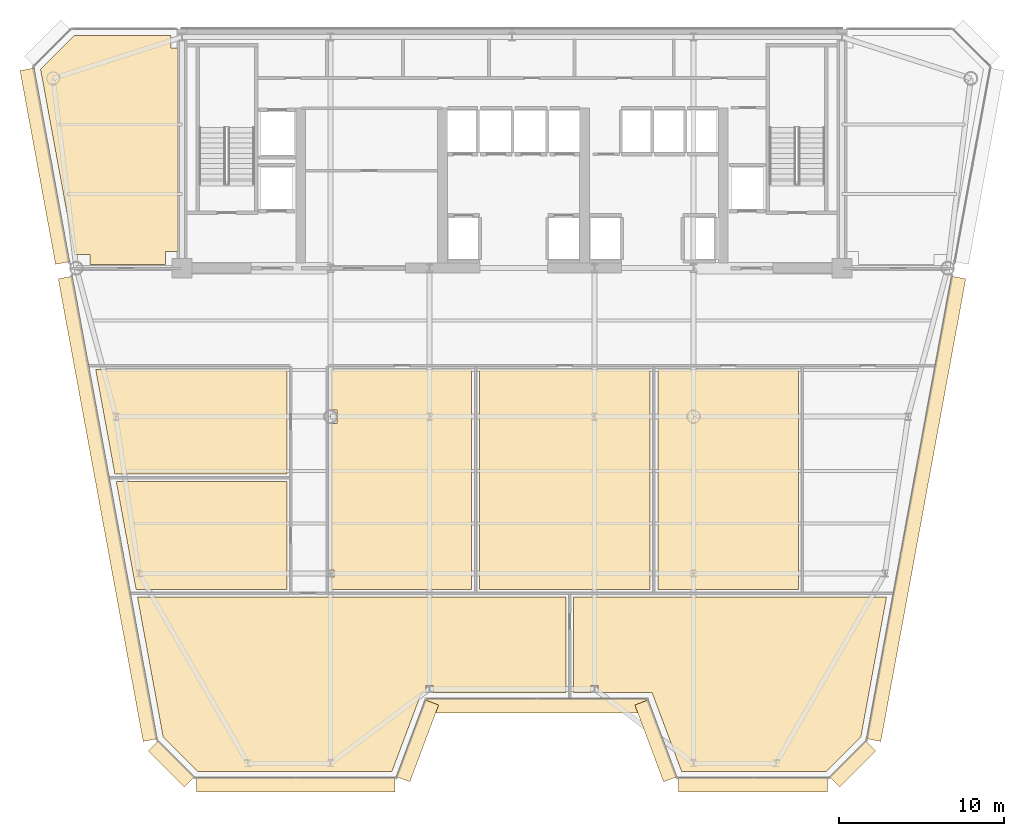
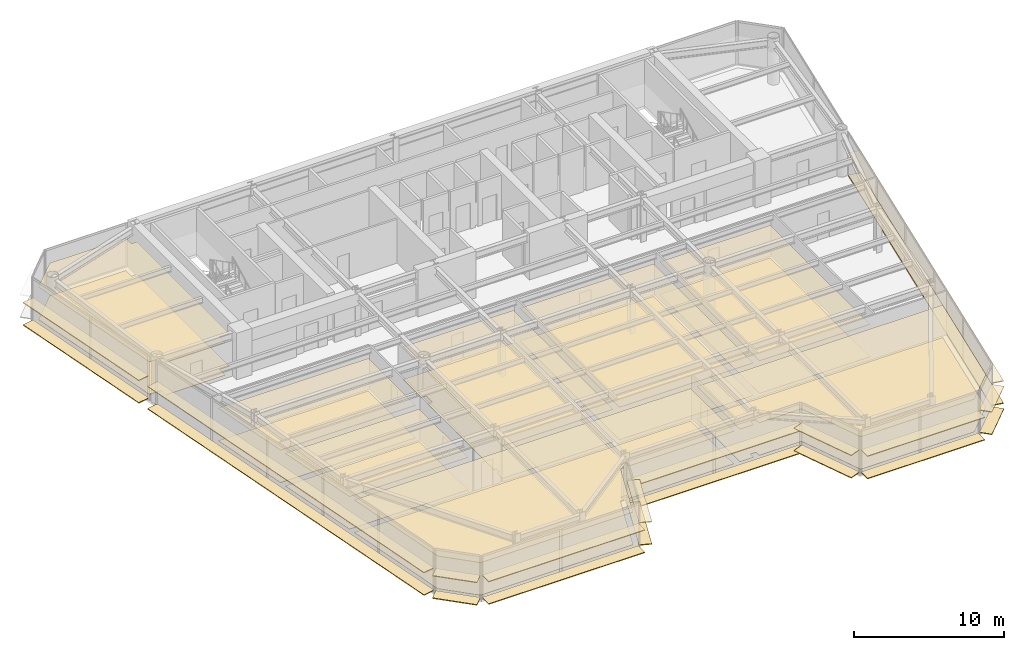
# One storey, part 13 of 16: 36 coverings.
"""IFC4 building model written with IfcOpenShell, lengths in metres."""

from ifc_helpers import new_model, si_unit, direction, frame, origin, origin_2d, place, context, subcontext, project, spatial, polyline, rectangle, outline, extrude, source, transform, mapped, material, layer, layer_set, type_object, element, save


model = new_model("IFC4")

# Units and contexts
model_context = context("Model", 3, precision=1e-05, world=origin(), true_north=direction((0.0, 1.0)))
body_context = subcontext(model_context, "Body", "Model", "MODEL_VIEW")
ifc_project = project(units=[si_unit("LENGTHUNIT", "METRE"), si_unit("AREAUNIT", "SQUARE_METRE"), si_unit("VOLUMEUNIT", "CUBIC_METRE"), si_unit("PLANEANGLEUNIT", "RADIAN"), si_unit("MASSUNIT", "GRAM", prefix="KILO")], contexts=[model_context])

# Site, building, storey
site_placement = place(None, origin())
site = spatial("IfcSite", under=ifc_project, at=site_placement, CompositionType="ELEMENT")
building_placement = place(site_placement, origin())
building = spatial("IfcBuilding", under=site, at=building_placement, Name="Vaeldorn Concourse Tower", CompositionType="ELEMENT")
storey_placement = place(building_placement, frame((0.0, 0.0, 188.0)))
storey = spatial("IfcBuildingStorey", under=building, at=storey_placement, Name="L48", CompositionType="ELEMENT", Elevation=188.0)

# Coverings
ifc_material_1 = material(Name="Acoustic Mineral Fibre Board", Category="gypsum")
ifc_layer_1 = layer(ifc_material_1, 0.0400390625)
ifc_layer_set_1 = layer_set([ifc_layer_1], Name="Acoustic Mineral Fibre Board")
covering_type_1 = type_object("IfcCoveringType", Name="COV-CEIL-ACOUSTIC", PredefinedType="CEILING", material=ifc_layer_set_1)
covering_1_placement = place(storey_placement, frame((0.0, 0.0, 2.64990234375)))
element("IfcCovering", 1, at=covering_1_placement, inside=storey, type_object=covering_type_1, Name="Suspended Acoustic Ceiling L48-4", PredefinedType="CEILING", context=body_context, shape_type="SweptSolid", body=[
    extrude(outline(polyline([(7.4658203125, 50.60009765625), (13.340087890625, 50.60009765625), (13.340087890625, 49.840087890625), (13.760009765625, 49.840087890625), (13.760009765625, 37.5), (13.0, 37.5), (13.0, 36.719970703125), (8.419921875, 36.719970703125), (8.419921875, 37.320068359375), (7.49609375, 37.320068359375), (5.431396484375, 48.565673828125), (7.4658203125, 50.60009765625)])), origin(), (0.0, 0.0, 1.0), 0.0400390625),
])
covering_2_placement = place(storey_placement, frame((0.0, 0.0, 2.64990234375)))
element("IfcCovering", 2, at=covering_2_placement, inside=storey, type_object=covering_type_1, Name="Suspended Acoustic Ceiling L48-6", PredefinedType="CEILING", context=body_context, shape_type="SweptSolid", body=[
    extrude(outline(polyline([(37.260009765625, 16.56005859375), (37.260009765625, 10.800048828125), (29.2060546875, 10.800048828125), (29.2060546875, 11.217529296875), (28.7939453125, 11.217529296875), (28.7939453125, 10.800048828125), (28.522705078125, 10.800048828125), (26.722900390625, 6.0), (14.956787109375, 6.0), (12.86181640625, 8.0947265625), (11.3076171875, 16.56005859375), (37.260009765625, 16.56005859375)])), origin(), (0.0, 0.0, 1.0), 0.0400390625),
])
covering_3_placement = place(storey_placement, frame((0.0, 0.0, 2.64990234375)))
element("IfcCovering", 3, at=covering_3_placement, inside=storey, type_object=covering_type_1, Name="Suspended Acoustic Ceiling L48-7", PredefinedType="CEILING", context=body_context, shape_type="SweptSolid", body=[
    extrude(outline(polyline([(37.739990234375, 16.56005859375), (56.6923828125, 16.56005859375), (55.13818359375, 8.0947265625), (53.043212890625, 6.0), (44.277099609375, 6.0), (42.477294921875, 10.800048828125), (39.2060546875, 10.800048828125), (39.2060546875, 11.217529296875), (38.7939453125, 11.217529296875), (38.7939453125, 10.800048828125), (37.739990234375, 10.800048828125), (37.739990234375, 16.56005859375)])), origin(), (0.0, 0.0, 1.0), 0.0400390625),
])
covering_4_placement = place(storey_placement, frame((0.0, 0.0, 2.64990234375)))
element("IfcCovering", 4, at=covering_4_placement, inside=storey, type_object=covering_type_1, Name="Suspended Acoustic Ceiling L48-8", PredefinedType="CEILING", context=body_context, shape_type="SweptSolid", body=[
    extrude(outline(polyline([(20.360107421875, 23.56005859375), (20.360107421875, 17.0400390625), (11.219482421875, 17.0400390625), (11.16455078125, 17.340087890625), (11.16455078125, 17.340087890625), (10.0224609375, 23.56005859375), (20.360107421875, 23.56005859375)])), origin(), (0.0, 0.0, 1.0), 0.0400390625),
])
covering_5_placement = place(storey_placement, frame((0.0, 0.0, 2.64990234375)))
element("IfcCovering", 5, at=covering_5_placement, inside=storey, type_object=covering_type_1, Name="Suspended Acoustic Ceiling L48-9", PredefinedType="CEILING", context=body_context, shape_type="SweptSolid", body=[
    extrude(outline(polyline([(20.360107421875, 30.360107421875), (20.360107421875, 24.0400390625), (9.934326171875, 24.0400390625), (8.77392578125, 30.360107421875), (20.360107421875, 30.360107421875)])), origin(), (0.0, 0.0, 1.0), 0.0400390625),
])
covering_6_placement = place(storey_placement, frame((0.0, 0.0, 2.64990234375)))
element("IfcCovering", 6, at=covering_6_placement, inside=storey, type_object=covering_type_1, Name="Suspended Acoustic Ceiling L48-10", PredefinedType="CEILING", context=body_context, shape_type="SweptSolid", body=[
    extrude(outline(polyline([(23.0400390625, 17.782470703125), (23.2060546875, 17.782470703125), (23.2060546875, 18.217529296875), (23.0400390625, 18.217529296875), (23.0400390625, 27.093505859375), (23.406494140625, 27.093505859375), (23.406494140625, 27.906494140625), (23.0400390625, 27.906494140625), (23.0400390625, 30.360107421875), (31.56005859375, 30.360107421875), (31.56005859375, 17.0400390625), (23.0400390625, 17.0400390625), (23.0400390625, 17.782470703125)])), origin(), (0.0, 0.0, 1.0), 0.0400390625),
])
covering_7_placement = place(storey_placement, frame((0.0, 0.0, 2.64990234375)))
element("IfcCovering", 7, at=covering_7_placement, inside=storey, type_object=covering_type_1, Name="Suspended Acoustic Ceiling L48-11", PredefinedType="CEILING", context=body_context, shape_type="SweptSolid", body=[
    extrude(outline(polyline([(32.0400390625, 30.360107421875), (42.360107421875, 30.360107421875), (42.360107421875, 17.0400390625), (32.0400390625, 17.0400390625), (32.0400390625, 30.360107421875)])), origin(), (0.0, 0.0, 1.0), 0.0400390625),
])
covering_8_placement = place(storey_placement, frame((0.0, 0.0, 2.64990234375)))
element("IfcCovering", 8, at=covering_8_placement, inside=storey, type_object=covering_type_1, Name="Suspended Acoustic Ceiling L48-12", PredefinedType="CEILING", context=body_context, shape_type="SweptSolid", body=[
    extrude(outline(polyline([(42.840087890625, 30.360107421875), (51.360107421875, 30.360107421875), (51.360107421875, 17.0400390625), (42.840087890625, 17.0400390625), (42.840087890625, 30.360107421875)])), origin(), (0.0, 0.0, 1.0), 0.0400390625),
])
ifc_material_2 = material(Name="Honed Limestone Terrazzo Flooring", Category="masonry")
ifc_layer_2 = layer(ifc_material_2, 0.0400390625)
ifc_layer_set_2 = layer_set([ifc_layer_2], Name="Honed Limestone Terrazzo Flooring")
covering_type_2 = type_object("IfcCoveringType", Name="COV-FLOOR-STONE", PredefinedType="FLOORING", material=ifc_layer_set_2)
covering_9_placement = place(storey_placement, origin())
element("IfcCovering", 9, at=covering_9_placement, inside=storey, type_object=covering_type_2, Name="Floor Finish Covering L48-4", PredefinedType="FLOORING", context=body_context, shape_type="SweptSolid", body=[
    extrude(outline(polyline([(7.4658203125, 50.60009765625), (13.340087890625, 50.60009765625), (13.340087890625, 49.840087890625), (13.760009765625, 49.840087890625), (13.760009765625, 37.5), (13.0, 37.5), (13.0, 36.719970703125), (8.419921875, 36.719970703125), (8.419921875, 37.320068359375), (7.49609375, 37.320068359375), (5.431396484375, 48.565673828125), (7.4658203125, 50.60009765625)])), origin(), (0.0, 0.0, 1.0), 0.030029296875),
])
covering_10_placement = place(storey_placement, origin())
element("IfcCovering", 10, at=covering_10_placement, inside=storey, type_object=covering_type_2, Name="Floor Finish Covering L48-6", PredefinedType="FLOORING", context=body_context, shape_type="SweptSolid", body=[
    extrude(outline(polyline([(37.260009765625, 16.56005859375), (37.260009765625, 10.800048828125), (29.2060546875, 10.800048828125), (29.2060546875, 11.217529296875), (28.7939453125, 11.217529296875), (28.7939453125, 10.800048828125), (28.522705078125, 10.800048828125), (26.722900390625, 6.0), (14.956787109375, 6.0), (12.86181640625, 8.0947265625), (11.3076171875, 16.56005859375), (37.260009765625, 16.56005859375)])), origin(), (0.0, 0.0, 1.0), 0.030029296875),
])
covering_11_placement = place(storey_placement, origin())
element("IfcCovering", 11, at=covering_11_placement, inside=storey, type_object=covering_type_2, Name="Floor Finish Covering L48-7", PredefinedType="FLOORING", context=body_context, shape_type="SweptSolid", body=[
    extrude(outline(polyline([(37.739990234375, 16.56005859375), (56.6923828125, 16.56005859375), (55.13818359375, 8.0947265625), (53.043212890625, 6.0), (44.277099609375, 6.0), (42.477294921875, 10.800048828125), (39.2060546875, 10.800048828125), (39.2060546875, 11.217529296875), (38.7939453125, 11.217529296875), (38.7939453125, 10.800048828125), (37.739990234375, 10.800048828125), (37.739990234375, 16.56005859375)])), origin(), (0.0, 0.0, 1.0), 0.030029296875),
])
covering_12_placement = place(storey_placement, origin())
element("IfcCovering", 12, at=covering_12_placement, inside=storey, type_object=covering_type_2, Name="Floor Finish Covering L48-8", PredefinedType="FLOORING", context=body_context, shape_type="SweptSolid", body=[
    extrude(outline(polyline([(20.360107421875, 23.56005859375), (20.360107421875, 17.0400390625), (11.219482421875, 17.0400390625), (11.16455078125, 17.340087890625), (11.16455078125, 17.340087890625), (10.0224609375, 23.56005859375), (20.360107421875, 23.56005859375)])), origin(), (0.0, 0.0, 1.0), 0.030029296875),
])
covering_13_placement = place(storey_placement, origin())
element("IfcCovering", 13, at=covering_13_placement, inside=storey, type_object=covering_type_2, Name="Floor Finish Covering L48-9", PredefinedType="FLOORING", context=body_context, shape_type="SweptSolid", body=[
    extrude(outline(polyline([(20.360107421875, 30.360107421875), (20.360107421875, 24.0400390625), (9.934326171875, 24.0400390625), (8.77392578125, 30.360107421875), (20.360107421875, 30.360107421875)])), origin(), (0.0, 0.0, 1.0), 0.030029296875),
])
covering_14_placement = place(storey_placement, origin())
element("IfcCovering", 14, at=covering_14_placement, inside=storey, type_object=covering_type_2, Name="Floor Finish Covering L48-10", PredefinedType="FLOORING", context=body_context, shape_type="SweptSolid", body=[
    extrude(outline(polyline([(23.0400390625, 17.782470703125), (23.2060546875, 17.782470703125), (23.2060546875, 18.217529296875), (23.0400390625, 18.217529296875), (23.0400390625, 27.093505859375), (23.406494140625, 27.093505859375), (23.406494140625, 27.906494140625), (23.0400390625, 27.906494140625), (23.0400390625, 30.360107421875), (31.56005859375, 30.360107421875), (31.56005859375, 17.0400390625), (23.0400390625, 17.0400390625), (23.0400390625, 17.782470703125)])), origin(), (0.0, 0.0, 1.0), 0.030029296875),
])
covering_15_placement = place(storey_placement, origin())
element("IfcCovering", 15, at=covering_15_placement, inside=storey, type_object=covering_type_2, Name="Floor Finish Covering L48-11", PredefinedType="FLOORING", context=body_context, shape_type="SweptSolid", body=[
    extrude(outline(polyline([(32.0400390625, 30.360107421875), (42.360107421875, 30.360107421875), (42.360107421875, 17.0400390625), (32.0400390625, 17.0400390625), (32.0400390625, 30.360107421875)])), origin(), (0.0, 0.0, 1.0), 0.030029296875),
])
covering_16_placement = place(storey_placement, origin())
element("IfcCovering", 16, at=covering_16_placement, inside=storey, type_object=covering_type_2, Name="Floor Finish Covering L48-12", PredefinedType="FLOORING", context=body_context, shape_type="SweptSolid", body=[
    extrude(outline(polyline([(42.840087890625, 30.360107421875), (51.360107421875, 30.360107421875), (51.360107421875, 17.0400390625), (42.840087890625, 17.0400390625), (42.840087890625, 30.360107421875)])), origin(), (0.0, 0.0, 1.0), 0.030029296875),
])
ifc_material_3 = material(Name="Anodised Bronze Aluminium", Category="aluminium")
ifc_layer_3 = layer(ifc_material_3, 0.06494140625)
ifc_layer_set_3 = layer_set([ifc_layer_3], Name="Anodised Bronze Aluminium")
covering_type_3 = type_object("IfcCoveringType", Name="SD-BRONZE-SUNSHADE", PredefinedType="USERDEFINED", material=ifc_layer_set_3)
shared_shape_1 = source(origin(), body_context, "Body", "SweptSolid", [
    extrude(rectangle(XDim=4.96630859375, YDim=0.8798828125, at=origin_2d()), origin(), (0.0, 0.0, 1.0), 0.06494140625),
])
for number, where, z_axis, x_axis, name in (
    (17, (28.2744140625, 7.859619140625, 0.047607421875), (0.0, 0.0, 1.0), (0.351122702609, 0.936329454686, 0.0), "Horizontal Bronze Sunshade L48-E02.1.1"),
    (18, (28.2744140625, 7.859619140625, 1.867431640625), (0.0, 0.0, 1.0), (0.351122702609, 0.936329454686, 0.0), "Horizontal Bronze Sunshade L48-E02.1.2"),
    (19, (42.7255859375, 7.859619140625, 0.047607421875), (0.0, 0.0, 1.0), (0.351122702609, -0.936329454686, 0.0), "Horizontal Bronze Sunshade L48-E04.1.1"),
    (20, (42.7255859375, 7.859619140625, 1.867431640625), (0.0, 0.0, 1.0), (0.351122702609, -0.936329454686, 0.0), "Horizontal Bronze Sunshade L48-E04.1.2"),
):
    element("IfcCovering", number, at=place(storey_placement, frame(where, z_axis=z_axis, x_axis=x_axis)), inside=storey, type_object=covering_type_3, Name=name, ObjectType="SUNSHADE", PredefinedType="USERDEFINED", context=body_context, shape_type="MappedRepresentation", body=[
        mapped(shared_shape_1, transform((0.0, 0.0, 0.0), scale=1.0)),
    ])
shared_shape_2 = source(origin(), body_context, "Body", "SweptSolid", [
    extrude(rectangle(XDim=13.239990234375, YDim=0.8798828125, at=origin_2d()), origin(), (0.0, 0.0, 1.0), 0.06494140625),
])
for number, where, z_axis, x_axis, name in (
    (21, (35.5, 10.0, 0.047607421875), (0.0, 0.0, 1.0), (1.0, 0.0, 0.0), "Horizontal Bronze Sunshade L48-E03.1.1"),
    (22, (35.5, 10.0, 1.867431640625), (0.0, 0.0, 1.0), (1.0, 0.0, 0.0), "Horizontal Bronze Sunshade L48-E03.1.2"),
):
    element("IfcCovering", number, at=place(storey_placement, frame(where, z_axis=z_axis, x_axis=x_axis)), inside=storey, type_object=covering_type_3, Name=name, ObjectType="SUNSHADE", PredefinedType="USERDEFINED", context=body_context, shape_type="MappedRepresentation", body=[
        mapped(shared_shape_2, transform((0.0, 0.0, 0.0), scale=1.0)),
    ])
shared_shape_3 = source(origin(), body_context, "Body", "SweptSolid", [
    extrude(rectangle(XDim=3.0927734375, YDim=0.8798828125, at=origin_2d()), origin(), (0.0, 0.0, 1.0), 0.06494140625),
])
for number, where, z_axis, x_axis, name in (
    (23, (54.641845703125, 6.46728515625, 0.047607421875), (0.0, 0.0, 1.0), (0.707106781187, 0.707106781187, 0.0), "Horizontal Bronze Sunshade L48-E06.1.1"),
    (24, (54.641845703125, 6.46728515625, 1.867431640625), (0.0, 0.0, 1.0), (0.707106781187, 0.707106781187, 0.0), "Horizontal Bronze Sunshade L48-E06.1.2"),
    (25, (13.358154296875, 6.46728515625, 0.047607421875), (0.0, 0.0, 1.0), (0.707106781187, -0.707106781187, 0.0), "Horizontal Bronze Sunshade L48-E12.1.1"),
    (26, (13.358154296875, 6.46728515625, 1.867431640625), (0.0, 0.0, 1.0), (0.707106781187, -0.707106781187, 0.0), "Horizontal Bronze Sunshade L48-E12.1.2"),
):
    element("IfcCovering", number, at=place(storey_placement, frame(where, z_axis=z_axis, x_axis=x_axis)), inside=storey, type_object=covering_type_3, Name=name, ObjectType="SUNSHADE", PredefinedType="USERDEFINED", context=body_context, shape_type="MappedRepresentation", body=[
        mapped(shared_shape_3, transform((0.0, 0.0, 0.0), scale=1.0)),
    ])
shared_shape_4 = source(origin(), body_context, "Body", "SweptSolid", [
    extrude(rectangle(XDim=28.49462890625, YDim=0.8798828125, at=origin_2d()), origin(), (0.0, 0.0, 1.0), 0.06494140625),
])
for number, where, z_axis, x_axis, name in (
    (27, (58.48974609375, 21.91943359375, 0.047607421875), (0.0, 0.0, 1.0), (0.180587811053, 0.983558865803, 0.0), "Horizontal Bronze Sunshade L48-E07.1.1"),
    (28, (58.48974609375, 21.91943359375, 1.867431640625), (0.0, 0.0, 1.0), (0.180587811053, 0.983558865803, 0.0), "Horizontal Bronze Sunshade L48-E07.1.2"),
    (29, (9.51025390625, 21.91943359375, 0.047607421875), (0.0, 0.0, 1.0), (0.180587811053, -0.983558865803, 0.0), "Horizontal Bronze Sunshade L48-E11.2.1"),
    (30, (9.51025390625, 21.91943359375, 1.867431640625), (0.0, 0.0, 1.0), (0.180587811053, -0.983558865803, 0.0), "Horizontal Bronze Sunshade L48-E11.2.2"),
):
    element("IfcCovering", number, at=place(storey_placement, frame(where, z_axis=z_axis, x_axis=x_axis)), inside=storey, type_object=covering_type_3, Name=name, ObjectType="SUNSHADE", PredefinedType="USERDEFINED", context=body_context, shape_type="MappedRepresentation", body=[
        mapped(shared_shape_4, transform((0.0, 0.0, 0.0), scale=1.0)),
    ])
shared_shape_5 = source(origin(), body_context, "Body", "SweptSolid", [
    extrude(rectangle(XDim=11.931396484375, YDim=0.8798828125, at=origin_2d()), origin(), (0.0, 0.0, 1.0), 0.06494140625),
])
for number, where, z_axis, x_axis, name in (
    (31, (5.6982421875, 42.681396484375, 0.047607421875), (0.0, 0.0, 1.0), (0.180587811053, -0.983558865803, 0.0), "Horizontal Bronze Sunshade L48-E11.1.1"),
    (32, (5.6982421875, 42.681396484375, 1.867431640625), (0.0, 0.0, 1.0), (0.180587811053, -0.983558865803, 0.0), "Horizontal Bronze Sunshade L48-E11.1.2"),
):
    element("IfcCovering", number, at=place(storey_placement, frame(where, z_axis=z_axis, x_axis=x_axis)), inside=storey, type_object=covering_type_3, Name=name, ObjectType="SUNSHADE", PredefinedType="USERDEFINED", context=body_context, shape_type="MappedRepresentation", body=[
        mapped(shared_shape_5, transform((0.0, 0.0, 0.0), scale=1.0)),
    ])
shared_shape_6 = source(origin(), body_context, "Body", "SweptSolid", [
    extrude(rectangle(XDim=12.049072265625, YDim=0.8798828125, at=origin_2d()), origin(), (0.0, 0.0, 1.0), 0.06494140625),
])
for number, where, z_axis, x_axis, name in (
    (33, (20.8955078125, 5.199951171875, 0.047607421875), (0.0, 0.0, 1.0), (1.0, 0.0, 0.0), "Horizontal Bronze Sunshade L48-E01.1.1"),
    (34, (20.8955078125, 5.199951171875, 1.867431640625), (0.0, 0.0, 1.0), (1.0, 0.0, 0.0), "Horizontal Bronze Sunshade L48-E01.1.2"),
):
    element("IfcCovering", number, at=place(storey_placement, frame(where, z_axis=z_axis, x_axis=x_axis)), inside=storey, type_object=covering_type_3, Name=name, ObjectType="SUNSHADE", PredefinedType="USERDEFINED", context=body_context, shape_type="MappedRepresentation", body=[
        mapped(shared_shape_6, transform((0.0, 0.0, 0.0), scale=1.0)),
    ])
shared_shape_7 = source(origin(), body_context, "Body", "SweptSolid", [
    extrude(rectangle(XDim=9.049072265625, YDim=0.8798828125, at=origin_2d()), origin(), (0.0, 0.0, 1.0), 0.06494140625),
])
for number, where, z_axis, x_axis, name in (
    (35, (48.6044921875, 5.199951171875, 0.047607421875), (0.0, 0.0, 1.0), (1.0, 0.0, 0.0), "Horizontal Bronze Sunshade L48-E05.1.1"),
    (36, (48.6044921875, 5.199951171875, 1.867431640625), (0.0, 0.0, 1.0), (1.0, 0.0, 0.0), "Horizontal Bronze Sunshade L48-E05.1.2"),
):
    element("IfcCovering", number, at=place(storey_placement, frame(where, z_axis=z_axis, x_axis=x_axis)), inside=storey, type_object=covering_type_3, Name=name, ObjectType="SUNSHADE", PredefinedType="USERDEFINED", context=body_context, shape_type="MappedRepresentation", body=[
        mapped(shared_shape_7, transform((0.0, 0.0, 0.0), scale=1.0)),
    ])

save(model, "model.ifc")
